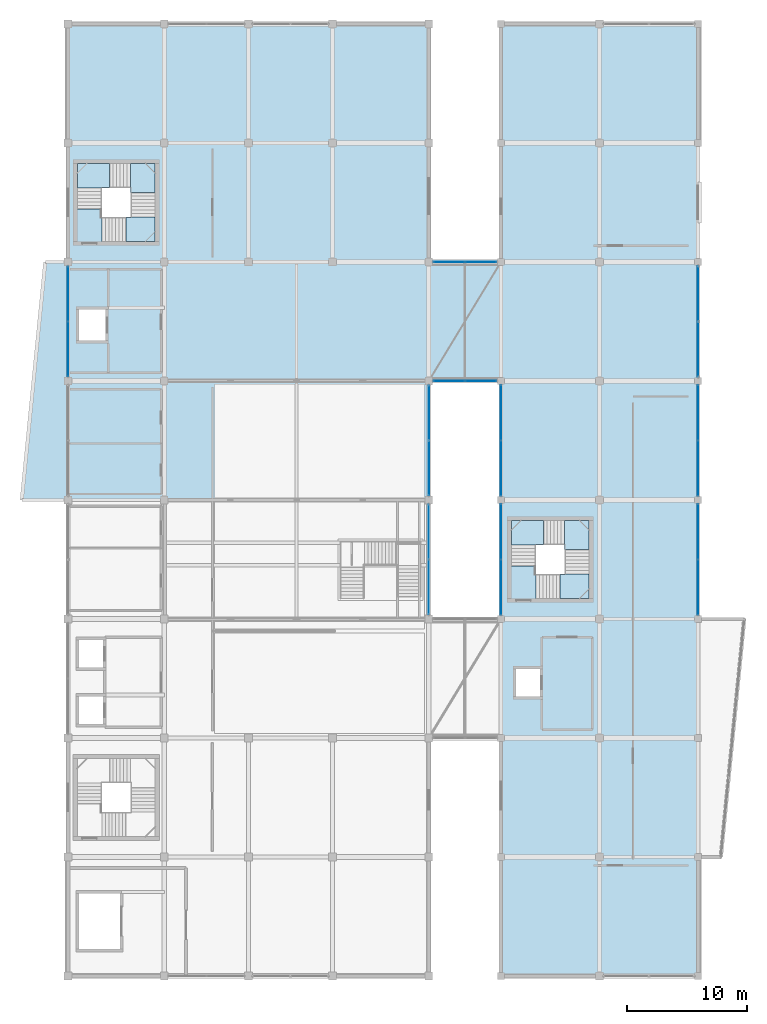
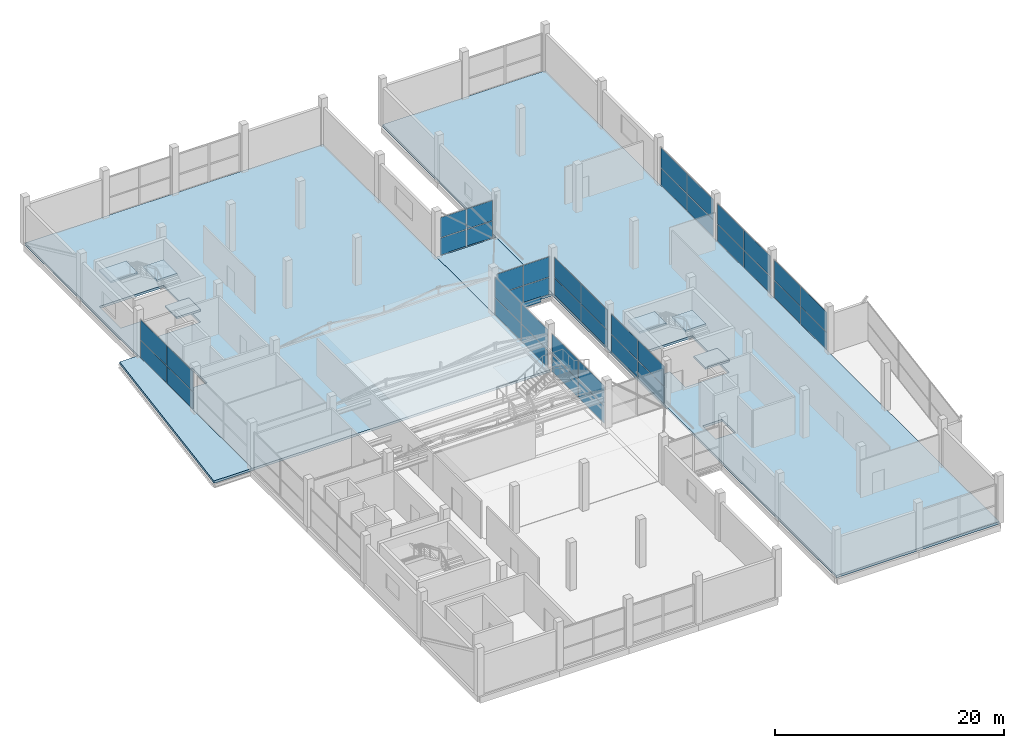
# One storey, part 49 of 66: 42 plates, 10 slabs, 12 elements without a shape of their own.
"""IFC4 building model written with IfcOpenShell, lengths in metres."""

from ifc_helpers import new_model, si_unit, direction, frame, origin, origin_2d, place, context, subcontext, project, spatial, polyline, rectangle, outline, extrude, material, layer, layer_set, type_object, element, aggregate, save


model = new_model("IFC4")

# Units and contexts
model_context = context("Model", 3, precision=1e-05, world=origin(), true_north=direction((0.0, 1.0)))
body_context = subcontext(model_context, "Body", "Model", "MODEL_VIEW")
ifc_project = project(units=[si_unit("LENGTHUNIT", "METRE"), si_unit("AREAUNIT", "SQUARE_METRE"), si_unit("VOLUMEUNIT", "CUBIC_METRE"), si_unit("PLANEANGLEUNIT", "RADIAN"), si_unit("MASSUNIT", "GRAM", prefix="KILO")], contexts=[model_context])

# Site, building, storey
site_placement = place(None, origin())
site = spatial("IfcSite", under=ifc_project, at=site_placement, CompositionType="ELEMENT")
building_placement = place(site_placement, origin())
building = spatial("IfcBuilding", under=site, at=building_placement, Name="Sillaruma Civic Art Gallery", CompositionType="ELEMENT")
storey_placement = place(building_placement, frame((0.0, 0.0, 57.1201171875)))
storey = spatial("IfcBuildingStorey", under=building, at=storey_placement, Name="L11", CompositionType="ELEMENT", Elevation=57.1201171875)

# Plates
ifc_material_1 = material(Name="Anodised Zinc-Aluminium Alloy", Category="aluminium")
ifc_layer_1 = layer(ifc_material_1, 0.044921875, Name="Anodised Zinc-Aluminium Alloy")
ifc_layer_set_1 = layer_set([ifc_layer_1], Name="Anodised Zinc-Aluminium Alloy")
plate_type_1 = type_object("IfcPlateType", Name="PLT-FAS-01", PredefinedType="USERDEFINED", material=ifc_layer_set_1)
for number, where, z_axis, x_axis, name in (
    (1, (95.0, 69.300048828125, -0.47021484375), (0.0, 0.0, 1.0), (1.0, 0.0, 0.0), "Sky-Bridge Fascia Cassette (BRG-N:L11:S)"),
    (2, (95.0, 79.199951171875, -0.47021484375), (0.0, 0.0, 1.0), (1.0, 0.0, 0.0), "Sky-Bridge Fascia Cassette (BRG-N:L11:N)"),
):
    element("IfcPlate", number, at=place(storey_placement, frame(where, z_axis=z_axis, x_axis=x_axis)), inside=storey, type_object=plate_type_1, Name=name, ObjectType="FASCIA CASSETTE", PredefinedType="USERDEFINED", context=body_context, shape_type="SweptSolid", body=[
        extrude(rectangle(XDim=3.60009765625, YDim=0.044921875, at=origin_2d()), origin(), (0.0, 0.0, 1.0), 0.580078125),
    ])

# Curtain wall, plates
ifc_material_2 = material(Name="Thermally Broken Extruded Aluminium 6063-T6", Category="aluminium")
ifc_layer_2 = layer(ifc_material_2, 0.139892578125, Name="Thermally Broken Extruded Aluminium 6063-T6")
ifc_layer_set_2 = layer_set([ifc_layer_2], Name="Thermally Broken Extruded Aluminium 6063-T6")
curtain_wall_type_1 = type_object("IfcCurtainWallType", Name="CW-UNI-71", PredefinedType="NOTDEFINED", material=ifc_layer_set_2)
curtain_wall_1_placement = place(storey_placement, origin())
curtain_wall_1 = element("IfcCurtainWall", 3, at=curtain_wall_1_placement, inside=storey, type_object=curtain_wall_type_1, Name="Unitised Curtain Wall CW-71 (CW-L11-WBE-4)", PredefinedType="NOTDEFINED")
ifc_material_3 = material(Name="Low-E UV-Filtered Laminated Insulating Glass", Category="glass")
ifc_layer_3 = layer(ifc_material_3, 0.028076171875, Name="Low-E UV-Filtered Laminated Insulating Glass")
ifc_layer_set_3 = layer_set([ifc_layer_3], Name="Low-E UV-Filtered Laminated Insulating Glass")
plate_type_2 = type_object("IfcPlateType", Name="PNL-GLZ-28", PredefinedType="CURTAIN_PANEL", material=ifc_layer_set_3)
plate_1_placement = place(storey_placement, frame((92.0, 52.152587890625, 0.059814453125), z_axis=(0.0, 0.0, 1.0), x_axis=(0.0, 1.0, 0.0)))
plate_1 = element("IfcPlate", 4, at=plate_1_placement, type_object=plate_type_2, Name="CW-71 panel 1.1", PredefinedType="CURTAIN_PANEL", context=body_context, shape_type="SweptSolid", body=[
    extrude(rectangle(XDim=4.534912109375, YDim=0.028076171875, at=origin_2d()), origin(), (0.0, 0.0, 1.0), 1.80517578125),
])
plate_2_placement = place(storey_placement, frame((92.0, 52.152587890625, 1.925048828125), z_axis=(0.0, 0.0, 1.0), x_axis=(0.0, 1.0, 0.0)))
plate_2 = element("IfcPlate", 5, at=plate_2_placement, type_object=plate_type_2, Name="CW-71 panel 1.2", PredefinedType="CURTAIN_PANEL", context=body_context, shape_type="SweptSolid", body=[
    extrude(rectangle(XDim=4.534912109375, YDim=0.028076171875, at=origin_2d()), origin(), (0.0, 0.0, 1.0), 2.134765625),
])
plate_3_placement = place(storey_placement, frame((92.0, 56.74755859375, 0.059814453125), z_axis=(0.0, 0.0, 1.0), x_axis=(0.0, 1.0, 0.0)))
plate_3 = element("IfcPlate", 6, at=plate_3_placement, type_object=plate_type_2, Name="CW-71 panel 2.1", PredefinedType="CURTAIN_PANEL", context=body_context, shape_type="SweptSolid", body=[
    extrude(rectangle(XDim=4.534912109375, YDim=0.028076171875, at=origin_2d()), origin(), (0.0, 0.0, 1.0), 1.80517578125),
])
plate_4_placement = place(storey_placement, frame((92.0, 56.74755859375, 1.925048828125), z_axis=(0.0, 0.0, 1.0), x_axis=(0.0, 1.0, 0.0)))
plate_4 = element("IfcPlate", 7, at=plate_4_placement, type_object=plate_type_2, Name="CW-71 panel 2.2", PredefinedType="CURTAIN_PANEL", context=body_context, shape_type="SweptSolid", body=[
    extrude(rectangle(XDim=4.534912109375, YDim=0.028076171875, at=origin_2d()), origin(), (0.0, 0.0, 1.0), 2.134765625),
])
aggregate(curtain_wall_1, [plate_1, plate_2, plate_3, plate_4])

curtain_wall_2_placement = place(storey_placement, origin())
curtain_wall_2 = element("IfcCurtainWall", 8, at=curtain_wall_2_placement, inside=storey, type_object=curtain_wall_type_1, Name="Unitised Curtain Wall CW-71 (CW-L11-WBW-6)", PredefinedType="NOTDEFINED")
plate_5_placement = place(storey_placement, frame((62.0, 71.952392578125, 0.059814453125), z_axis=(0.0, 0.0, 1.0), x_axis=(0.0, 1.0, 0.0)))
plate_5 = element("IfcPlate", 9, at=plate_5_placement, type_object=plate_type_2, Name="CW-71 panel 1.1", PredefinedType="CURTAIN_PANEL", context=body_context, shape_type="SweptSolid", body=[
    extrude(rectangle(XDim=4.534912109375, YDim=0.028076171875, at=origin_2d()), origin(), (0.0, 0.0, 1.0), 1.80517578125),
])
plate_6_placement = place(storey_placement, frame((62.0, 71.952392578125, 1.925048828125), z_axis=(0.0, 0.0, 1.0), x_axis=(0.0, 1.0, 0.0)))
plate_6 = element("IfcPlate", 10, at=plate_6_placement, type_object=plate_type_2, Name="CW-71 panel 1.2", PredefinedType="CURTAIN_PANEL", context=body_context, shape_type="SweptSolid", body=[
    extrude(rectangle(XDim=4.534912109375, YDim=0.028076171875, at=origin_2d()), origin(), (0.0, 0.0, 1.0), 2.134765625),
])
plate_7_placement = place(storey_placement, frame((62.0, 76.547607421875, 0.059814453125), z_axis=(0.0, 0.0, 1.0), x_axis=(0.0, 1.0, 0.0)))
plate_7 = element("IfcPlate", 11, at=plate_7_placement, type_object=plate_type_2, Name="CW-71 panel 2.1", PredefinedType="CURTAIN_PANEL", context=body_context, shape_type="SweptSolid", body=[
    extrude(rectangle(XDim=4.534912109375, YDim=0.028076171875, at=origin_2d()), origin(), (0.0, 0.0, 1.0), 1.80517578125),
])
plate_8_placement = place(storey_placement, frame((62.0, 76.547607421875, 1.925048828125), z_axis=(0.0, 0.0, 1.0), x_axis=(0.0, 1.0, 0.0)))
plate_8 = element("IfcPlate", 12, at=plate_8_placement, type_object=plate_type_2, Name="CW-71 panel 2.2", PredefinedType="CURTAIN_PANEL", context=body_context, shape_type="SweptSolid", body=[
    extrude(rectangle(XDim=4.534912109375, YDim=0.028076171875, at=origin_2d()), origin(), (0.0, 0.0, 1.0), 2.134765625),
])
aggregate(curtain_wall_2, [plate_5, plate_6, plate_7, plate_8])

ifc_layer_4 = layer(ifc_material_2, 0.139892578125, Name="Thermally Broken Extruded Aluminium 6063-T6")
ifc_layer_set_4 = layer_set([ifc_layer_4], Name="Thermally Broken Extruded Aluminium 6063-T6")
curtain_wall_type_2 = type_object("IfcCurtainWallType", Name="CW-UNI-77", PredefinedType="NOTDEFINED", material=ifc_layer_set_4)
curtain_wall_3_placement = place(storey_placement, origin())
curtain_wall_3 = element("IfcCurtainWall", 13, at=curtain_wall_3_placement, inside=storey, type_object=curtain_wall_type_2, Name="Unitised Curtain Wall CW-77 (CW-L11-EBW-5)", PredefinedType="NOTDEFINED")
plate_9_placement = place(storey_placement, frame((98.0, 62.0400390625, 0.059814453125), z_axis=(0.0, 0.0, 1.0), x_axis=(0.0, 1.0, 0.0)))
plate_9 = element("IfcPlate", 14, at=plate_9_placement, type_object=plate_type_2, Name="CW-77 panel 1.1", PredefinedType="CURTAIN_PANEL", context=body_context, shape_type="SweptSolid", body=[
    extrude(rectangle(XDim=4.56005859375, YDim=0.028076171875, at=origin_2d()), origin(), (0.0, 0.0, 1.0), 1.80517578125),
])
plate_10_placement = place(storey_placement, frame((98.0, 62.0400390625, 1.925048828125), z_axis=(0.0, 0.0, 1.0), x_axis=(0.0, 1.0, 0.0)))
plate_10 = element("IfcPlate", 15, at=plate_10_placement, type_object=plate_type_2, Name="CW-77 panel 1.2", PredefinedType="CURTAIN_PANEL", context=body_context, shape_type="SweptSolid", body=[
    extrude(rectangle(XDim=4.56005859375, YDim=0.028076171875, at=origin_2d()), origin(), (0.0, 0.0, 1.0), 2.134765625),
])
plate_11_placement = place(storey_placement, frame((98.0, 66.659912109375, 0.059814453125), z_axis=(0.0, 0.0, 1.0), x_axis=(0.0, 1.0, 0.0)))
plate_11 = element("IfcPlate", 16, at=plate_11_placement, type_object=plate_type_2, Name="CW-77 panel 2.1", PredefinedType="CURTAIN_PANEL", context=body_context, shape_type="SweptSolid", body=[
    extrude(rectangle(XDim=4.56005859375, YDim=0.028076171875, at=origin_2d()), origin(), (0.0, 0.0, 1.0), 1.80517578125),
])
plate_12_placement = place(storey_placement, frame((98.0, 66.659912109375, 1.925048828125), z_axis=(0.0, 0.0, 1.0), x_axis=(0.0, 1.0, 0.0)))
plate_12 = element("IfcPlate", 17, at=plate_12_placement, type_object=plate_type_2, Name="CW-77 panel 2.2", PredefinedType="CURTAIN_PANEL", context=body_context, shape_type="SweptSolid", body=[
    extrude(rectangle(XDim=4.56005859375, YDim=0.028076171875, at=origin_2d()), origin(), (0.0, 0.0, 1.0), 2.134765625),
])
aggregate(curtain_wall_3, [plate_9, plate_10, plate_11, plate_12])

ifc_layer_5 = layer(ifc_material_2, 0.159912109375, Name="Thermally Broken Extruded Aluminium 6063-T6")
ifc_layer_set_5 = layer_set([ifc_layer_5], Name="Thermally Broken Extruded Aluminium 6063-T6")
curtain_wall_type_3 = type_object("IfcCurtainWallType", Name="CW-UNI-81", PredefinedType="NOTDEFINED", material=ifc_layer_set_5)
curtain_wall_4_placement = place(storey_placement, origin())
curtain_wall_4 = element("IfcCurtainWall", 18, at=curtain_wall_4_placement, inside=storey, type_object=curtain_wall_type_3, Name="Unitised Curtain Wall CW-81 (CW-L11-EBE-4)", PredefinedType="NOTDEFINED")
ifc_layer_6 = layer(ifc_material_3, 0.030029296875, Name="Low-E UV-Filtered Laminated Insulating Glass")
ifc_layer_set_6 = layer_set([ifc_layer_6], Name="Low-E UV-Filtered Laminated Insulating Glass")
plate_type_3 = type_object("IfcPlateType", Name="PNL-GLZ-30", PredefinedType="CURTAIN_PANEL", material=ifc_layer_set_6)
plate_13_placement = place(storey_placement, frame((114.39990234375, 52.141357421875, 0.059814453125), z_axis=(0.0, 0.0, 1.0), x_axis=(0.0, 1.0, 0.0)))
plate_13 = element("IfcPlate", 19, at=plate_13_placement, type_object=plate_type_3, Name="CW-81 panel 1.1", PredefinedType="CURTAIN_PANEL", context=body_context, shape_type="SweptSolid", body=[
    extrude(rectangle(XDim=4.552490234375, YDim=0.030029296875, at=origin_2d()), origin(), (0.0, 0.0, 1.0), 1.80517578125),
])
plate_14_placement = place(storey_placement, frame((114.39990234375, 52.141357421875, 1.925048828125), z_axis=(0.0, 0.0, 1.0), x_axis=(0.0, 1.0, 0.0)))
plate_14 = element("IfcPlate", 20, at=plate_14_placement, type_object=plate_type_3, Name="CW-81 panel 1.2", PredefinedType="CURTAIN_PANEL", context=body_context, shape_type="SweptSolid", body=[
    extrude(rectangle(XDim=4.552490234375, YDim=0.030029296875, at=origin_2d()), origin(), (0.0, 0.0, 1.0), 2.134765625),
])
plate_15_placement = place(storey_placement, frame((114.39990234375, 56.7587890625, 0.059814453125), z_axis=(0.0, 0.0, 1.0), x_axis=(0.0, 1.0, 0.0)))
plate_15 = element("IfcPlate", 21, at=plate_15_placement, type_object=plate_type_3, Name="CW-81 panel 2.1", PredefinedType="CURTAIN_PANEL", context=body_context, shape_type="SweptSolid", body=[
    extrude(rectangle(XDim=4.552490234375, YDim=0.030029296875, at=origin_2d()), origin(), (0.0, 0.0, 1.0), 1.80517578125),
])
plate_16_placement = place(storey_placement, frame((114.39990234375, 56.7587890625, 1.925048828125), z_axis=(0.0, 0.0, 1.0), x_axis=(0.0, 1.0, 0.0)))
plate_16 = element("IfcPlate", 22, at=plate_16_placement, type_object=plate_type_3, Name="CW-81 panel 2.2", PredefinedType="CURTAIN_PANEL", context=body_context, shape_type="SweptSolid", body=[
    extrude(rectangle(XDim=4.552490234375, YDim=0.030029296875, at=origin_2d()), origin(), (0.0, 0.0, 1.0), 2.134765625),
])
aggregate(curtain_wall_4, [plate_13, plate_14, plate_15, plate_16])

ifc_layer_7 = layer(ifc_material_2, 0.159912109375, Name="Thermally Broken Extruded Aluminium 6063-T6")
ifc_layer_set_7 = layer_set([ifc_layer_7], Name="Thermally Broken Extruded Aluminium 6063-T6")
curtain_wall_type_4 = type_object("IfcCurtainWallType", Name="CW-UNI-80", PredefinedType="NOTDEFINED", material=ifc_layer_set_7)
curtain_wall_5_placement = place(storey_placement, origin())
curtain_wall_5 = element("IfcCurtainWall", 23, at=curtain_wall_5_placement, inside=storey, type_object=curtain_wall_type_4, Name="Unitised Curtain Wall CW-80 (CW-L11-EBW-4)", PredefinedType="NOTDEFINED")
ifc_layer_8 = layer(ifc_material_3, 0.031982421875, Name="Low-E UV-Filtered Laminated Insulating Glass")
ifc_layer_set_8 = layer_set([ifc_layer_8], Name="Low-E UV-Filtered Laminated Insulating Glass")
plate_type_4 = type_object("IfcPlateType", Name="PNL-GLZ-32", PredefinedType="CURTAIN_PANEL", material=ifc_layer_set_8)
plate_17_placement = place(storey_placement, frame((98.0, 52.141357421875, 0.06494140625), z_axis=(0.0, 0.0, 1.0), x_axis=(0.0, 1.0, 0.0)))
plate_17 = element("IfcPlate", 24, at=plate_17_placement, type_object=plate_type_4, Name="CW-80 panel 1.1", PredefinedType="CURTAIN_PANEL", context=body_context, shape_type="SweptSolid", body=[
    extrude(rectangle(XDim=4.552490234375, YDim=0.031982421875, at=origin_2d()), origin(), (0.0, 0.0, 1.0), 1.797607421875),
])
plate_18_placement = place(storey_placement, frame((98.0, 52.141357421875, 1.927734375), z_axis=(0.0, 0.0, 1.0), x_axis=(0.0, 1.0, 0.0)))
plate_18 = element("IfcPlate", 25, at=plate_18_placement, type_object=plate_type_4, Name="CW-80 panel 1.2", PredefinedType="CURTAIN_PANEL", context=body_context, shape_type="SweptSolid", body=[
    extrude(rectangle(XDim=4.552490234375, YDim=0.031982421875, at=origin_2d()), origin(), (0.0, 0.0, 1.0), 2.127197265625),
])
plate_19_placement = place(storey_placement, frame((98.0, 56.7587890625, 0.06494140625), z_axis=(0.0, 0.0, 1.0), x_axis=(0.0, 1.0, 0.0)))
plate_19 = element("IfcPlate", 26, at=plate_19_placement, type_object=plate_type_4, Name="CW-80 panel 2.1", PredefinedType="CURTAIN_PANEL", context=body_context, shape_type="SweptSolid", body=[
    extrude(rectangle(XDim=4.552490234375, YDim=0.031982421875, at=origin_2d()), origin(), (0.0, 0.0, 1.0), 1.797607421875),
])
plate_20_placement = place(storey_placement, frame((98.0, 56.7587890625, 1.927734375), z_axis=(0.0, 0.0, 1.0), x_axis=(0.0, 1.0, 0.0)))
plate_20 = element("IfcPlate", 27, at=plate_20_placement, type_object=plate_type_4, Name="CW-80 panel 2.2", PredefinedType="CURTAIN_PANEL", context=body_context, shape_type="SweptSolid", body=[
    extrude(rectangle(XDim=4.552490234375, YDim=0.031982421875, at=origin_2d()), origin(), (0.0, 0.0, 1.0), 2.127197265625),
])
aggregate(curtain_wall_5, [plate_17, plate_18, plate_19, plate_20])

ifc_layer_9 = layer(ifc_material_2, 0.139892578125, Name="Thermally Broken Extruded Aluminium 6063-T6")
ifc_layer_set_9 = layer_set([ifc_layer_9], Name="Thermally Broken Extruded Aluminium 6063-T6")
curtain_wall_type_5 = type_object("IfcCurtainWallType", Name="CW-UNI-82", PredefinedType="NOTDEFINED", material=ifc_layer_set_9)
curtain_wall_6_placement = place(storey_placement, origin())
curtain_wall_6 = element("IfcCurtainWall", 28, at=curtain_wall_6_placement, inside=storey, type_object=curtain_wall_type_5, Name="Unitised Curtain Wall CW-82 (CW-L11-EBE-5)", PredefinedType="NOTDEFINED")
ifc_layer_10 = layer(ifc_material_3, 0.033935546875, Name="Low-E UV-Filtered Laminated Insulating Glass")
ifc_layer_set_10 = layer_set([ifc_layer_10], Name="Low-E UV-Filtered Laminated Insulating Glass")
plate_type_5 = type_object("IfcPlateType", Name="PNL-GLZ-34", PredefinedType="CURTAIN_PANEL", material=ifc_layer_set_10)
plate_21_placement = place(storey_placement, frame((114.39990234375, 62.0400390625, 0.06494140625), z_axis=(0.0, 0.0, 1.0), x_axis=(0.0, 1.0, 0.0)))
plate_21 = element("IfcPlate", 29, at=plate_21_placement, type_object=plate_type_5, Name="CW-82 panel 1.1", PredefinedType="CURTAIN_PANEL", context=body_context, shape_type="SweptSolid", body=[
    extrude(rectangle(XDim=4.56005859375, YDim=0.033935546875, at=origin_2d()), origin(), (0.0, 0.0, 1.0), 1.797607421875),
])
plate_22_placement = place(storey_placement, frame((114.39990234375, 62.0400390625, 1.927734375), z_axis=(0.0, 0.0, 1.0), x_axis=(0.0, 1.0, 0.0)))
plate_22 = element("IfcPlate", 30, at=plate_22_placement, type_object=plate_type_5, Name="CW-82 panel 1.2", PredefinedType="CURTAIN_PANEL", context=body_context, shape_type="SweptSolid", body=[
    extrude(rectangle(XDim=4.56005859375, YDim=0.033935546875, at=origin_2d()), origin(), (0.0, 0.0, 1.0), 2.127197265625),
])
plate_23_placement = place(storey_placement, frame((114.39990234375, 66.659912109375, 0.06494140625), z_axis=(0.0, 0.0, 1.0), x_axis=(0.0, 1.0, 0.0)))
plate_23 = element("IfcPlate", 31, at=plate_23_placement, type_object=plate_type_5, Name="CW-82 panel 2.1", PredefinedType="CURTAIN_PANEL", context=body_context, shape_type="SweptSolid", body=[
    extrude(rectangle(XDim=4.56005859375, YDim=0.033935546875, at=origin_2d()), origin(), (0.0, 0.0, 1.0), 1.797607421875),
])
plate_24_placement = place(storey_placement, frame((114.39990234375, 66.659912109375, 1.927734375), z_axis=(0.0, 0.0, 1.0), x_axis=(0.0, 1.0, 0.0)))
plate_24 = element("IfcPlate", 32, at=plate_24_placement, type_object=plate_type_5, Name="CW-82 panel 2.2", PredefinedType="CURTAIN_PANEL", context=body_context, shape_type="SweptSolid", body=[
    extrude(rectangle(XDim=4.56005859375, YDim=0.033935546875, at=origin_2d()), origin(), (0.0, 0.0, 1.0), 2.127197265625),
])
aggregate(curtain_wall_6, [plate_21, plate_22, plate_23, plate_24])

ifc_layer_11 = layer(ifc_material_2, 0.179931640625, Name="Thermally Broken Extruded Aluminium 6063-T6")
ifc_layer_set_11 = layer_set([ifc_layer_11], Name="Thermally Broken Extruded Aluminium 6063-T6")
curtain_wall_type_6 = type_object("IfcCurtainWallType", Name="CW-UNI-78", PredefinedType="NOTDEFINED", material=ifc_layer_set_11)
curtain_wall_7_placement = place(storey_placement, origin())
curtain_wall_7 = element("IfcCurtainWall", 33, at=curtain_wall_7_placement, inside=storey, type_object=curtain_wall_type_6, Name="Unitised Curtain Wall CW-78 (CW-L11-EBE-6)", PredefinedType="NOTDEFINED")
ifc_layer_12 = layer(ifc_material_3, 0.035888671875, Name="Low-E UV-Filtered Laminated Insulating Glass")
ifc_layer_set_12 = layer_set([ifc_layer_12], Name="Low-E UV-Filtered Laminated Insulating Glass")
plate_type_6 = type_object("IfcPlateType", Name="PNL-GLZ-36", PredefinedType="CURTAIN_PANEL", material=ifc_layer_set_12)
plate_25_placement = place(storey_placement, frame((114.39990234375, 71.9423828125, 0.06982421875), z_axis=(0.0, 0.0, 1.0), x_axis=(0.0, 1.0, 0.0)))
plate_25 = element("IfcPlate", 34, at=plate_25_placement, type_object=plate_type_6, Name="CW-78 panel 1.1", PredefinedType="CURTAIN_PANEL", context=body_context, shape_type="SweptSolid", body=[
    extrude(rectangle(XDim=4.544921875, YDim=0.035888671875, at=origin_2d()), origin(), (0.0, 0.0, 1.0), 1.790283203125),
])
plate_26_placement = place(storey_placement, frame((114.39990234375, 71.9423828125, 1.93017578125), z_axis=(0.0, 0.0, 1.0), x_axis=(0.0, 1.0, 0.0)))
plate_26 = element("IfcPlate", 35, at=plate_26_placement, type_object=plate_type_6, Name="CW-78 panel 1.2", PredefinedType="CURTAIN_PANEL", context=body_context, shape_type="SweptSolid", body=[
    extrude(rectangle(XDim=4.544921875, YDim=0.035888671875, at=origin_2d()), origin(), (0.0, 0.0, 1.0), 2.119873046875),
])
plate_27_placement = place(storey_placement, frame((114.39990234375, 76.5576171875, 0.06982421875), z_axis=(0.0, 0.0, 1.0), x_axis=(0.0, 1.0, 0.0)))
plate_27 = element("IfcPlate", 36, at=plate_27_placement, type_object=plate_type_6, Name="CW-78 panel 2.1", PredefinedType="CURTAIN_PANEL", context=body_context, shape_type="SweptSolid", body=[
    extrude(rectangle(XDim=4.544921875, YDim=0.035888671875, at=origin_2d()), origin(), (0.0, 0.0, 1.0), 1.790283203125),
])
plate_28_placement = place(storey_placement, frame((114.39990234375, 76.5576171875, 1.93017578125), z_axis=(0.0, 0.0, 1.0), x_axis=(0.0, 1.0, 0.0)))
plate_28 = element("IfcPlate", 37, at=plate_28_placement, type_object=plate_type_6, Name="CW-78 panel 2.2", PredefinedType="CURTAIN_PANEL", context=body_context, shape_type="SweptSolid", body=[
    extrude(rectangle(XDim=4.544921875, YDim=0.035888671875, at=origin_2d()), origin(), (0.0, 0.0, 1.0), 2.119873046875),
])
aggregate(curtain_wall_7, [plate_25, plate_26, plate_27, plate_28])

ifc_layer_13 = layer(ifc_material_2, 0.179931640625, Name="Thermally Broken Extruded Aluminium 6063-T6")
ifc_layer_set_13 = layer_set([ifc_layer_13], Name="Thermally Broken Extruded Aluminium 6063-T6")
curtain_wall_type_7 = type_object("IfcCurtainWallType", Name="CW-UNI-72", PredefinedType="NOTDEFINED", material=ifc_layer_set_13)
curtain_wall_8_placement = place(storey_placement, origin())
curtain_wall_8 = element("IfcCurtainWall", 38, at=curtain_wall_8_placement, inside=storey, type_object=curtain_wall_type_7, Name="Unitised Curtain Wall CW-72 (CW-L11-WBE-5)", PredefinedType="NOTDEFINED")
ifc_layer_14 = layer(ifc_material_3, 0.0400390625, Name="Low-E UV-Filtered Laminated Insulating Glass")
ifc_layer_set_14 = layer_set([ifc_layer_14], Name="Low-E UV-Filtered Laminated Insulating Glass")
plate_type_7 = type_object("IfcPlateType", Name="PNL-GLZ-40", PredefinedType="CURTAIN_PANEL", material=ifc_layer_set_14)
plate_29_placement = place(storey_placement, frame((92.0, 62.054931640625, 0.06494140625), z_axis=(0.0, 0.0, 1.0), x_axis=(0.0, 1.0, 0.0)))
plate_29 = element("IfcPlate", 39, at=plate_29_placement, type_object=plate_type_7, Name="CW-72 panel 1.1", PredefinedType="CURTAIN_PANEL", context=body_context, shape_type="SweptSolid", body=[
    extrude(rectangle(XDim=4.52001953125, YDim=0.0400390625, at=origin_2d()), origin(), (0.0, 0.0, 1.0), 1.797607421875),
])
plate_30_placement = place(storey_placement, frame((92.0, 62.054931640625, 1.927734375), z_axis=(0.0, 0.0, 1.0), x_axis=(0.0, 1.0, 0.0)))
plate_30 = element("IfcPlate", 40, at=plate_30_placement, type_object=plate_type_7, Name="CW-72 panel 1.2", PredefinedType="CURTAIN_PANEL", context=body_context, shape_type="SweptSolid", body=[
    extrude(rectangle(XDim=4.52001953125, YDim=0.0400390625, at=origin_2d()), origin(), (0.0, 0.0, 1.0), 2.127197265625),
])
plate_31_placement = place(storey_placement, frame((92.0, 66.64501953125, 0.06494140625), z_axis=(0.0, 0.0, 1.0), x_axis=(0.0, 1.0, 0.0)))
plate_31 = element("IfcPlate", 41, at=plate_31_placement, type_object=plate_type_7, Name="CW-72 panel 2.1", PredefinedType="CURTAIN_PANEL", context=body_context, shape_type="SweptSolid", body=[
    extrude(rectangle(XDim=4.52001953125, YDim=0.0400390625, at=origin_2d()), origin(), (0.0, 0.0, 1.0), 1.797607421875),
])
plate_32_placement = place(storey_placement, frame((92.0, 66.64501953125, 1.927734375), z_axis=(0.0, 0.0, 1.0), x_axis=(0.0, 1.0, 0.0)))
plate_32 = element("IfcPlate", 42, at=plate_32_placement, type_object=plate_type_7, Name="CW-72 panel 2.2", PredefinedType="CURTAIN_PANEL", context=body_context, shape_type="SweptSolid", body=[
    extrude(rectangle(XDim=4.52001953125, YDim=0.0400390625, at=origin_2d()), origin(), (0.0, 0.0, 1.0), 2.127197265625),
])
aggregate(curtain_wall_8, [plate_29, plate_30, plate_31, plate_32])

# Curtain wall, plate
ifc_layer_15 = layer(ifc_material_2, 0.179931640625, Name="Thermally Broken Extruded Aluminium 6063-T6")
ifc_layer_set_15 = layer_set([ifc_layer_15], Name="Thermally Broken Extruded Aluminium 6063-T6")
curtain_wall_type_8 = type_object("IfcCurtainWallType", Name="CW-UNI-89", PredefinedType="NOTDEFINED", material=ifc_layer_set_15)
curtain_wall_9_placement = place(storey_placement, origin())
curtain_wall_9 = element("IfcCurtainWall", 43, at=curtain_wall_9_placement, inside=storey, type_object=curtain_wall_type_8, Name="Unitised Curtain Wall CW-89 (CW-BRG-N-L11-S)", PredefinedType="NOTDEFINED")
plate_33_placement = place(storey_placement, frame((93.686279296875, 69.300048828125, 0.06494140625), z_axis=(0.0, 0.0, 1.0), x_axis=(1.0, 0.0, 0.0)))
plate_33 = element("IfcPlate", 44, at=plate_33_placement, type_object=plate_type_7, Name="CW-89 panel 1.1", PredefinedType="CURTAIN_PANEL", context=body_context, shape_type="SweptSolid", body=[
    extrude(rectangle(XDim=2.58251953125, YDim=0.0400390625, at=origin_2d()), origin(), (0.0, 0.0, 1.0), 1.797607421875),
])

curtain_wall_10_placement = place(storey_placement, origin())
curtain_wall_10 = element("IfcCurtainWall", 45, at=curtain_wall_10_placement, inside=storey, type_object=curtain_wall_type_8, Name="Unitised Curtain Wall CW-89 (CW-BRG-N-L11-N)", PredefinedType="NOTDEFINED")
plate_34_placement = place(storey_placement, frame((93.686279296875, 79.199951171875, 0.06494140625), z_axis=(0.0, 0.0, 1.0), x_axis=(1.0, 0.0, 0.0)))
plate_34 = element("IfcPlate", 46, at=plate_34_placement, type_object=plate_type_7, Name="CW-89 panel 1.1", PredefinedType="CURTAIN_PANEL", context=body_context, shape_type="SweptSolid", body=[
    extrude(rectangle(XDim=2.58251953125, YDim=0.0400390625, at=origin_2d()), origin(), (0.0, 0.0, 1.0), 1.797607421875),
])

# Plate
ifc_layer_16 = layer(ifc_material_1, 0.0400390625, Name="Anodised Zinc-Aluminium Alloy")
ifc_layer_set_16 = layer_set([ifc_layer_16], Name="Anodised Zinc-Aluminium Alloy")
plate_type_8 = type_object("IfcPlateType", Name="PNL-SPD-40", PredefinedType="CURTAIN_PANEL", material=ifc_layer_set_16)
plate_35_placement = place(storey_placement, frame((93.686279296875, 69.300048828125, 1.927734375), z_axis=(0.0, 0.0, 1.0), x_axis=(1.0, 0.0, 0.0)))
plate_35 = element("IfcPlate", 47, at=plate_35_placement, type_object=plate_type_8, Name="CW-89 panel 1.2", PredefinedType="CURTAIN_PANEL", context=body_context, shape_type="SweptSolid", body=[
    extrude(rectangle(XDim=2.58251953125, YDim=0.0400390625, at=origin_2d()), origin(), (0.0, 0.0, 1.0), 2.127197265625),
])

plate_36_placement = place(storey_placement, frame((96.3388671875, 69.300048828125, 0.06494140625), z_axis=(0.0, 0.0, 1.0), x_axis=(1.0, 0.0, 0.0)))
plate_36 = element("IfcPlate", 48, at=plate_36_placement, type_object=plate_type_8, Name="CW-89 panel 2.1", PredefinedType="CURTAIN_PANEL", context=body_context, shape_type="SweptSolid", body=[
    extrude(rectangle(XDim=2.58251953125, YDim=0.0400390625, at=origin_2d()), origin(), (0.0, 0.0, 1.0), 1.797607421875),
])

plate_37_placement = place(storey_placement, frame((96.3388671875, 69.300048828125, 1.927734375), z_axis=(0.0, 0.0, 1.0), x_axis=(1.0, 0.0, 0.0)))
plate_37 = element("IfcPlate", 49, at=plate_37_placement, type_object=plate_type_8, Name="CW-89 panel 2.2", PredefinedType="CURTAIN_PANEL", context=body_context, shape_type="SweptSolid", body=[
    extrude(rectangle(XDim=2.58251953125, YDim=0.0400390625, at=origin_2d()), origin(), (0.0, 0.0, 1.0), 2.127197265625),
])

aggregate(curtain_wall_9, [plate_33, plate_35, plate_36, plate_37])

plate_38_placement = place(storey_placement, frame((93.686279296875, 79.199951171875, 1.927734375), z_axis=(0.0, 0.0, 1.0), x_axis=(1.0, 0.0, 0.0)))
plate_38 = element("IfcPlate", 50, at=plate_38_placement, type_object=plate_type_8, Name="CW-89 panel 1.2", PredefinedType="CURTAIN_PANEL", context=body_context, shape_type="SweptSolid", body=[
    extrude(rectangle(XDim=2.58251953125, YDim=0.0400390625, at=origin_2d()), origin(), (0.0, 0.0, 1.0), 2.127197265625),
])

plate_39_placement = place(storey_placement, frame((96.3388671875, 79.199951171875, 0.06494140625), z_axis=(0.0, 0.0, 1.0), x_axis=(1.0, 0.0, 0.0)))
plate_39 = element("IfcPlate", 51, at=plate_39_placement, type_object=plate_type_8, Name="CW-89 panel 2.1", PredefinedType="CURTAIN_PANEL", context=body_context, shape_type="SweptSolid", body=[
    extrude(rectangle(XDim=2.58251953125, YDim=0.0400390625, at=origin_2d()), origin(), (0.0, 0.0, 1.0), 1.797607421875),
])

plate_40_placement = place(storey_placement, frame((96.3388671875, 79.199951171875, 1.927734375), z_axis=(0.0, 0.0, 1.0), x_axis=(1.0, 0.0, 0.0)))
plate_40 = element("IfcPlate", 52, at=plate_40_placement, type_object=plate_type_8, Name="CW-89 panel 2.2", PredefinedType="CURTAIN_PANEL", context=body_context, shape_type="SweptSolid", body=[
    extrude(rectangle(XDim=2.58251953125, YDim=0.0400390625, at=origin_2d()), origin(), (0.0, 0.0, 1.0), 2.127197265625),
])

aggregate(curtain_wall_10, [plate_34, plate_38, plate_39, plate_40])

# Slabs
ifc_material_4 = material(Name="Concrete H35 (35 MPa)", Category="concrete")
ifc_layer_17 = layer(ifc_material_4, 0.2099609375, Name="Concrete H35 (35 MPa)")
ifc_layer_set_17 = layer_set([ifc_layer_17], Name="Concrete H35 (35 MPa)")
slab_type_1 = type_object("IfcSlabType", Name="SLB-FLR-210", PredefinedType="FLOOR", material=ifc_layer_set_17)
slab_1_placement = place(storey_placement, frame((0.0, 0.0, -0.210205078125)))
element("IfcSlab", 53, at=slab_1_placement, inside=storey, type_object=slab_type_1, Name="Floor Slab SF-210 (SLB-L11-BRGN)", PredefinedType="FLOOR", context=body_context, shape_type="SweptSolid", body=[
    extrude(outline(polyline([(92.0, 69.300048828125), (98.0, 69.300048828125), (98.0, 79.199951171875), (92.0, 79.199951171875), (92.0, 69.300048828125)])), origin(), (0.0, 0.0, 1.0), 0.210205078125),
])
ifc_layer_18 = layer(ifc_material_4, 0.25, Name="Concrete H35 (35 MPa)")
ifc_layer_set_18 = layer_set([ifc_layer_18], Name="Concrete H35 (35 MPa)")
slab_type_2 = type_object("IfcSlabType", Name="SLB-FLR-250", PredefinedType="FLOOR", material=ifc_layer_set_18)
slab_2_placement = place(storey_placement, frame((0.0, 0.0, -0.25)))
element("IfcSlab", 54, at=slab_2_placement, inside=storey, type_object=slab_type_2, Name="Floor Slab SF-250 (SLB-L11-WESTN)", PredefinedType="FLOOR", context=body_context, shape_type="SweptSolid", body=[
    extrude(outline(polyline([(62.0, 59.39990234375), (92.0, 59.39990234375), (92.0, 99.0), (62.0, 99.0), (62.0, 59.39990234375)]), holes=[polyline([(64.81494140625, 80.909912109375), (69.239990234375, 80.909912109375), (69.239990234375, 87.389892578125), (62.760009765625, 87.389892578125), (62.760009765625, 83.625), (64.81494140625, 83.625), (64.81494140625, 80.909912109375)]), polyline([(62.89990234375, 72.64990234375), (65.10009765625, 72.64990234375), (65.10009765625, 75.25), (62.89990234375, 75.25), (62.89990234375, 72.64990234375)])]), origin(), (0.0, 0.0, 1.0), 0.25),
])
slab_3_placement = place(storey_placement, frame((0.0, 0.0, -0.25)))
element("IfcSlab", 55, at=slab_3_placement, inside=storey, type_object=slab_type_2, Name="Floor Slab SF-250 (SLB-L11-EAST)", PredefinedType="FLOOR", context=body_context, shape_type="SweptSolid", body=[
    extrude(outline(polyline([(98.0, 19.800048828125), (114.39990234375, 19.800048828125), (114.39990234375, 99.0), (98.0, 99.0), (98.0, 19.800048828125)]), holes=[polyline([(100.9150390625, 51.2099609375), (105.340087890625, 51.2099609375), (105.340087890625, 57.68994140625), (98.860107421875, 57.68994140625), (98.860107421875, 53.925048828125), (100.9150390625, 53.925048828125), (100.9150390625, 51.2099609375)]), polyline([(99.25, 43.050048828125), (101.25, 43.050048828125), (101.25, 45.35009765625), (99.25, 45.35009765625), (99.25, 43.050048828125)])]), origin(), (0.0, 0.0, 1.0), 0.25),
])

# Stair, slabs
stair_type = type_object("IfcStairType", Name="STR-4F-30", PredefinedType="USERDEFINED", material=ifc_material_4)
stair_1_placement = place(storey_placement, origin())
stair_1 = element("IfcStair", 56, at=stair_1_placement, inside=storey, type_object=stair_type, Name="Protected Exit Stair ST-02 (West Bar North) (L11)", ObjectType="THREE_RETURN_STAIR", PredefinedType="USERDEFINED")
ifc_layer_19 = layer(ifc_material_4, 0.199951171875, Name="Concrete H35 (35 MPa)")
ifc_layer_set_19 = layer_set([ifc_layer_19], Name="Concrete H35 (35 MPa)")
slab_type_3 = type_object("IfcSlabType", Name="SLB-LND-200", PredefinedType="LANDING", material=ifc_layer_set_19)
slab_4_placement = place(storey_placement, frame((0.0, 0.0, 1.159912109375)))
slab_4 = element("IfcSlab", 57, at=slab_4_placement, type_object=slab_type_3, Name="ST-02 landing 1", PredefinedType="LANDING", context=body_context, shape_type="SweptSolid", body=[
    extrude(outline(polyline([(66.830078125, 80.909912109375), (69.239990234375, 80.909912109375), (69.239990234375, 82.949951171875), (66.830078125, 82.949951171875), (66.830078125, 80.909912109375)])), origin(), (0.0, 0.0, 1.0), 0.199951171875),
])
slab_5_placement = place(storey_placement, frame((0.0, 0.0, 2.519775390625)))
slab_5 = element("IfcSlab", 58, at=slab_5_placement, type_object=slab_type_3, Name="ST-02 landing 2", PredefinedType="LANDING", context=body_context, shape_type="SweptSolid", body=[
    extrude(outline(polyline([(67.199951171875, 84.97998046875), (69.239990234375, 84.97998046875), (69.239990234375, 87.389892578125), (67.199951171875, 87.389892578125), (67.199951171875, 84.97998046875)])), origin(), (0.0, 0.0, 1.0), 0.2001953125),
])
slab_6_placement = place(storey_placement, frame((0.0, 0.0, 3.7099609375)))
slab_6 = element("IfcSlab", 59, at=slab_6_placement, type_object=slab_type_3, Name="ST-02 landing 3", PredefinedType="LANDING", context=body_context, shape_type="SweptSolid", body=[
    extrude(outline(polyline([(62.760009765625, 85.35009765625), (65.4599609375, 85.35009765625), (65.4599609375, 87.389892578125), (62.760009765625, 87.389892578125), (62.760009765625, 85.35009765625)])), origin(), (0.0, 0.0, 1.0), 0.199951171875),
])
aggregate(stair_1, [slab_4, slab_5, slab_6])

stair_2_placement = place(storey_placement, origin())
stair_2 = element("IfcStair", 60, at=stair_2_placement, inside=storey, type_object=stair_type, Name="Protected Exit Stair ST-04 (East Bar) (L11)", ObjectType="THREE_RETURN_STAIR", PredefinedType="USERDEFINED")
slab_7_placement = place(storey_placement, frame((0.0, 0.0, 1.159912109375)))
slab_7 = element("IfcSlab", 61, at=slab_7_placement, type_object=slab_type_3, Name="ST-04 landing 1", PredefinedType="LANDING", context=body_context, shape_type="SweptSolid", body=[
    extrude(outline(polyline([(102.929931640625, 51.2099609375), (105.340087890625, 51.2099609375), (105.340087890625, 53.25), (102.929931640625, 53.25), (102.929931640625, 51.2099609375)])), origin(), (0.0, 0.0, 1.0), 0.199951171875),
])
slab_8_placement = place(storey_placement, frame((0.0, 0.0, 2.519775390625)))
slab_8 = element("IfcSlab", 62, at=slab_8_placement, type_object=slab_type_3, Name="ST-04 landing 2", PredefinedType="LANDING", context=body_context, shape_type="SweptSolid", body=[
    extrude(outline(polyline([(103.300048828125, 55.280029296875), (105.340087890625, 55.280029296875), (105.340087890625, 57.68994140625), (103.300048828125, 57.68994140625), (103.300048828125, 55.280029296875)])), origin(), (0.0, 0.0, 1.0), 0.2001953125),
])
slab_9_placement = place(storey_placement, frame((0.0, 0.0, 3.7099609375)))
slab_9 = element("IfcSlab", 63, at=slab_9_placement, type_object=slab_type_3, Name="ST-04 landing 3", PredefinedType="LANDING", context=body_context, shape_type="SweptSolid", body=[
    extrude(outline(polyline([(98.860107421875, 55.64990234375), (101.56005859375, 55.64990234375), (101.56005859375, 57.68994140625), (98.860107421875, 57.68994140625), (98.860107421875, 55.64990234375)])), origin(), (0.0, 0.0, 1.0), 0.199951171875),
])
aggregate(stair_2, [slab_7, slab_8, slab_9])

# Slab
ifc_layer_20 = layer(ifc_material_4, 0.25, Name="Concrete H35 (35 MPa)")
ifc_layer_set_20 = layer_set([ifc_layer_20], Name="Concrete H35 (35 MPa)")
slab_type_4 = type_object("IfcSlabType", Name="SLB-ROOF-250", PredefinedType="ROOF", material=ifc_layer_set_20)
slab_10_placement = place(storey_placement, frame((0.0, 0.0, -0.25)))
element("IfcSlab", 64, at=slab_10_placement, inside=storey, type_object=slab_type_4, Name="Roof Slab SR-250 (ROOF-L11-PRWW)", PredefinedType="ROOF", context=body_context, shape_type="SweptSolid", body=[
    extrude(outline(polyline([(62.0, 59.39990234375), (62.0, 79.199951171875), (60.10009765625, 79.199951171875), (58.14990234375, 59.39990234375), (62.0, 59.39990234375)])), origin(), (0.0, 0.0, 1.0), 0.25),
])

save(model, "model.ifc")
